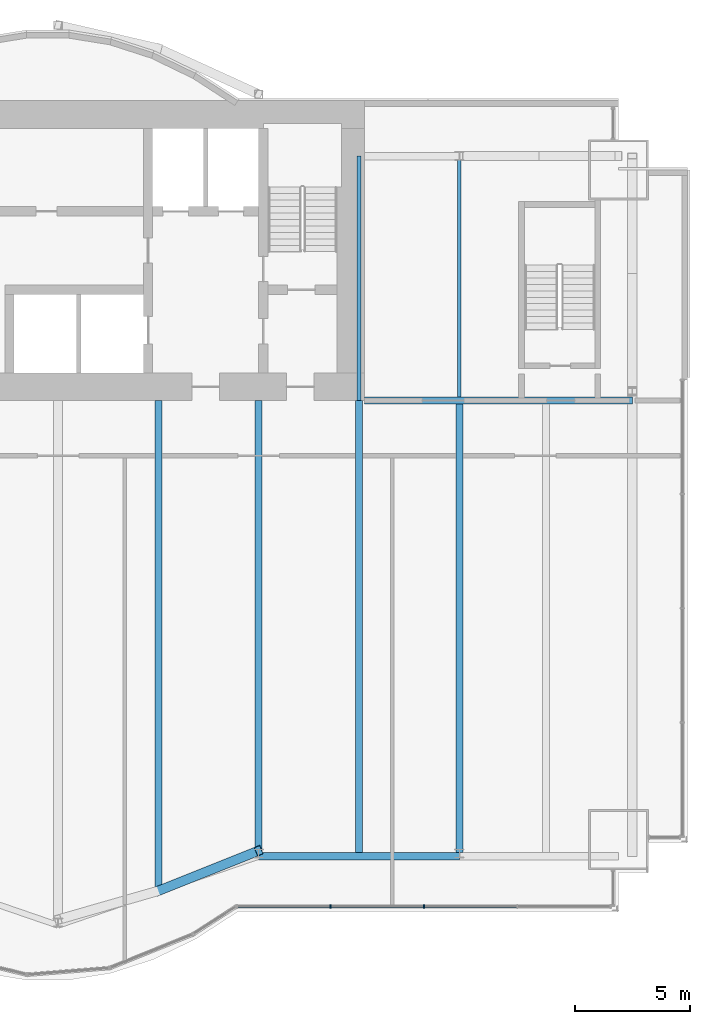
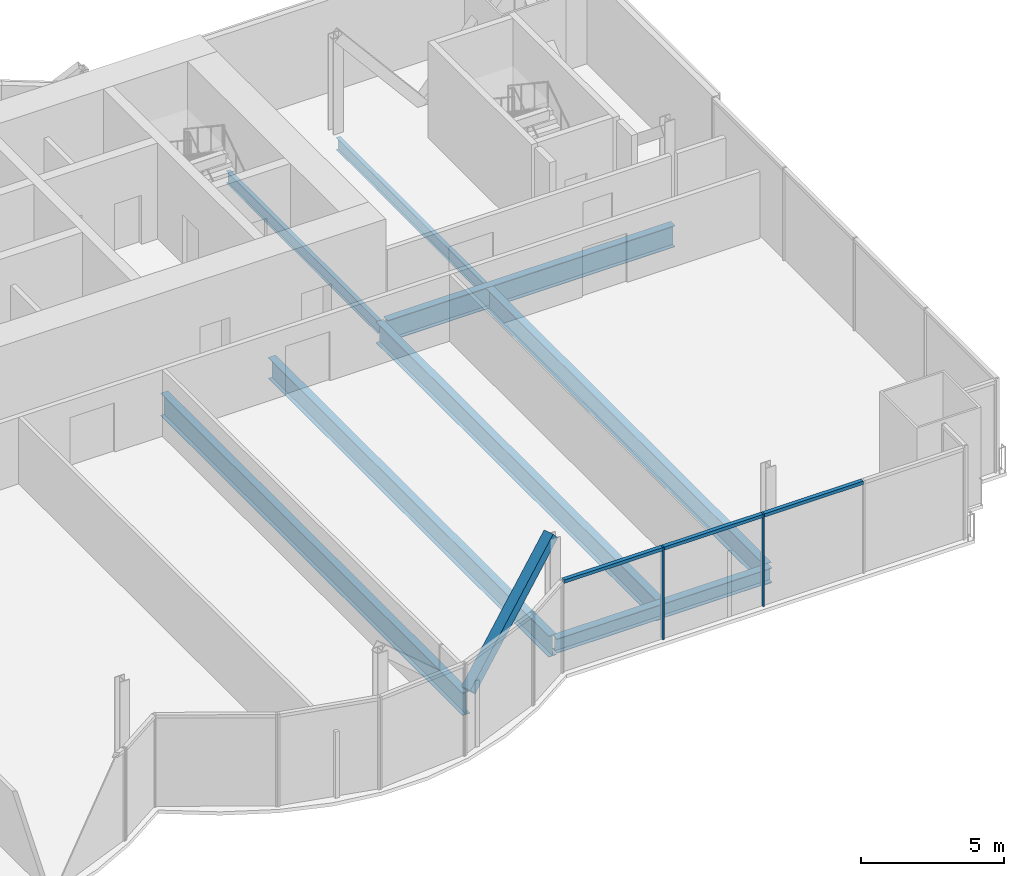
# One storey, part 9 of 21: 8 beams, 6 members, 1 element without a shape of its own.
"""IFC4 building model written with IfcOpenShell, lengths in metres."""

from ifc_helpers import new_model, si_unit, direction, frame, origin, origin_2d, place, context, subcontext, project, spatial, rectangle, hollow_rectangle, i_section, extrude, material, material_profile, profile_set, type_object, element, aggregate, save


model = new_model("IFC4")

# Units and contexts
model_context = context("Model", 3, precision=1e-05, world=origin(), true_north=direction((0.0, 1.0)))
body_context = subcontext(model_context, "Body", "Model", "MODEL_VIEW")
ifc_project = project(units=[si_unit("LENGTHUNIT", "METRE"), si_unit("AREAUNIT", "SQUARE_METRE"), si_unit("VOLUMEUNIT", "CUBIC_METRE"), si_unit("PLANEANGLEUNIT", "RADIAN"), si_unit("MASSUNIT", "GRAM", prefix="KILO")], contexts=[model_context])

# Site, building, storey
site_placement = place(None, origin())
site = spatial("IfcSite", under=ifc_project, at=site_placement, CompositionType="ELEMENT")
building_placement = place(site_placement, origin())
building = spatial("IfcBuilding", under=site, at=building_placement, Name="Bicima Exchange Tower", CompositionType="ELEMENT")
storey_placement = place(building_placement, frame((0.0, 0.0, 156.800048828125)))
storey = spatial("IfcBuildingStorey", under=building, at=storey_placement, Name="L34", CompositionType="ELEMENT", Elevation=156.800048828125)

# Beams
ifc_material_1 = material(Name="Steel ASTM A992 Gr 50", Category="steel")
ifc_material_profile_1 = material_profile(ifc_material_1, i_section(OverallWidth=0.3046875, OverallDepth=0.911865234375, WebThickness=0.015869140625, FlangeThickness=0.02392578125, at=origin_2d()))
ifc_profile_set_1 = profile_set([ifc_material_profile_1], Name="Steel ASTM A992 Gr 50")
beam_type_1 = type_object("IfcBeamType", Name="Core-line girder W36x150", PredefinedType="BEAM", material=ifc_profile_set_1)
beam_1_placement = place(storey_placement, frame((22.0, -13.0, -0.60595703125), z_axis=(1.0, 0.0, 0.0), x_axis=(0.0, 1.0, 0.0)))
element("IfcBeam", 1, at=beam_1_placement, inside=storey, type_object=beam_type_1, Name="Core-line girder", PredefinedType="BEAM", context=body_context, shape_type="SweptSolid", body=[
    extrude(i_section(OverallWidth=0.3046875, OverallDepth=0.911865234375, WebThickness=0.015869140625, FlangeThickness=0.02392578125, at=origin_2d()), origin(), (0.0, 0.0, 1.0), 11.60009765625),
])
ifc_material_profile_2 = material_profile(ifc_material_1, i_section(OverallWidth=0.165771484375, OverallDepth=0.5283203125, WebThickness=0.009765625, FlangeThickness=0.013671875, at=origin_2d()))
ifc_profile_set_2 = profile_set([ifc_material_profile_2], Name="Steel ASTM A992 Gr 50")
beam_type_2 = type_object("IfcBeamType", Name="Floor beam W21x50", PredefinedType="JOIST", material=ifc_profile_set_2)
beam_2_placement = place(storey_placement, frame((21.75, -2.39990234375, -0.414306640625), z_axis=(0.0, -1.0, 0.0), x_axis=(1.0, 0.0, 0.0)))
element("IfcBeam", 2, at=beam_2_placement, inside=storey, type_object=beam_type_2, Name="Floor beam", PredefinedType="JOIST", context=body_context, shape_type="SweptSolid", body=[
    extrude(i_section(OverallWidth=0.165771484375, OverallDepth=0.5283203125, WebThickness=0.009765625, FlangeThickness=0.013671875, at=origin_2d()), origin(), (0.0, 0.0, 1.0), 10.60009765625),
])
beam_3_placement = place(storey_placement, frame((26.10009765625, -2.5625, -0.414306640625), z_axis=(0.0, -1.0, 0.0), x_axis=(1.0, 0.0, 0.0)))
element("IfcBeam", 3, at=beam_3_placement, inside=storey, type_object=beam_type_2, Name="Floor beam", PredefinedType="JOIST", context=body_context, shape_type="SweptSolid", body=[
    extrude(i_section(OverallWidth=0.165771484375, OverallDepth=0.5283203125, WebThickness=0.009765625, FlangeThickness=0.013671875, at=origin_2d()), origin(), (0.0, 0.0, 1.0), 10.28515625),
])
ifc_material_profile_3 = material_profile(ifc_material_1, i_section(OverallWidth=0.3046875, OverallDepth=0.904296875, WebThickness=0.01513671875, FlangeThickness=0.02001953125, at=origin_2d()))
ifc_profile_set_3 = profile_set([ifc_material_profile_3], Name="Steel ASTM A992 Gr 50")
beam_type_3 = type_object("IfcBeamType", Name="Floor beam W36x135", PredefinedType="JOIST", material=ifc_profile_set_3)
beam_4_placement = place(storey_placement, frame((17.39990234375, -13.0, -0.60205078125), z_axis=(0.0, -1.0, 0.0), x_axis=(1.0, 0.0, 0.0)))
element("IfcBeam", 4, at=beam_4_placement, inside=storey, type_object=beam_type_3, Name="Floor beam", PredefinedType="JOIST", context=body_context, shape_type="SweptSolid", body=[
    extrude(i_section(OverallWidth=0.3046875, OverallDepth=0.904296875, WebThickness=0.01513671875, FlangeThickness=0.02001953125, at=origin_2d()), origin(), (0.0, 0.0, 1.0), 19.63232421875),
])
beam_5_placement = place(storey_placement, frame((21.75, -13.0, -0.60205078125), z_axis=(0.0, -1.0, 0.0), x_axis=(1.0, 0.0, 0.0)))
element("IfcBeam", 5, at=beam_5_placement, inside=storey, type_object=beam_type_3, Name="Floor beam", PredefinedType="JOIST", context=body_context, shape_type="SweptSolid", body=[
    extrude(i_section(OverallWidth=0.3046875, OverallDepth=0.904296875, WebThickness=0.01513671875, FlangeThickness=0.02001953125, at=origin_2d()), origin(), (0.0, 0.0, 1.0), 19.60546875),
])
beam_6_placement = place(storey_placement, frame((26.10009765625, -13.15234375, -0.60205078125), z_axis=(0.0, -1.0, 0.0), x_axis=(1.0, 0.0, 0.0)))
element("IfcBeam", 6, at=beam_6_placement, inside=storey, type_object=beam_type_3, Name="Floor beam", PredefinedType="JOIST", context=body_context, shape_type="SweptSolid", body=[
    extrude(i_section(OverallWidth=0.3046875, OverallDepth=0.904296875, WebThickness=0.01513671875, FlangeThickness=0.02001953125, at=origin_2d()), origin(), (0.0, 0.0, 1.0), 19.453125),
])
ifc_material_profile_4 = material_profile(ifc_material_1, i_section(OverallWidth=0.2998046875, OverallDepth=0.97021484375, WebThickness=0.01611328125, FlangeThickness=0.02099609375, at=origin_2d()))
ifc_profile_set_4 = profile_set([ifc_material_profile_4], Name="Steel ASTM A992 Gr 50")
beam_type_4 = type_object("IfcBeamType", Name="Floor beam W40x149", PredefinedType="JOIST", material=ifc_profile_set_4)
beam_7_placement = place(storey_placement, frame((13.050048828125, -13.0, -0.63525390625), z_axis=(0.0, -1.0, 0.0), x_axis=(1.0, 0.0, 0.0)))
element("IfcBeam", 7, at=beam_7_placement, inside=storey, type_object=beam_type_4, Name="Floor beam", PredefinedType="JOIST", context=body_context, shape_type="SweptSolid", body=[
    extrude(i_section(OverallWidth=0.2998046875, OverallDepth=0.97021484375, WebThickness=0.01611328125, FlangeThickness=0.02099609375, at=origin_2d()), origin(), (0.0, 0.0, 1.0), 21.1279296875),
])
ifc_material_profile_5 = material_profile(ifc_material_1, i_section(OverallWidth=0.3251953125, OverallDepth=0.612060546875, WebThickness=0.0126953125, FlangeThickness=0.01904296875, at=origin_2d()))
ifc_profile_set_5 = profile_set([ifc_material_profile_5], Name="Steel ASTM A992 Gr 50")
beam_type_5 = type_object("IfcBeamType", Name="Front girder W24x104", PredefinedType="BEAM", material=ifc_profile_set_5)
beam_8_placement = place(storey_placement, frame((17.39990234375, -32.76806640625, -0.4560546875), z_axis=(1.0, 0.0, 0.0), x_axis=(0.0, 1.0, 0.0)))
element("IfcBeam", 8, at=beam_8_placement, inside=storey, type_object=beam_type_5, Name="Front girder", PredefinedType="BEAM", context=body_context, shape_type="SweptSolid", body=[
    extrude(i_section(OverallWidth=0.3251953125, OverallDepth=0.612060546875, WebThickness=0.0126953125, FlangeThickness=0.01904296875, at=origin_2d()), origin(), (0.0, 0.0, 1.0), 8.7001953125),
])

# Curtain wall, members
ifc_material_2 = material(Name="Anodised bronze aluminium", Category="aluminium")
curtain_wall_type = type_object("IfcCurtainWallType", Name="Front glass wall", PredefinedType="NOTDEFINED", material=ifc_material_2)
curtain_wall_placement = place(storey_placement, origin())
curtain_wall = element("IfcCurtainWall", 9, at=curtain_wall_placement, inside=storey, type_object=curtain_wall_type, Name="Front glass wall L34 run 16", PredefinedType="NOTDEFINED")
ifc_material_profile_6 = material_profile(ifc_material_2, rectangle(XDim=0.159912109375, YDim=0.06005859375, at=origin_2d()))
ifc_profile_set_6 = profile_set([ifc_material_profile_6], Name="Anodised bronze aluminium")
member_type_1 = type_object("IfcMemberType", Name="Front glass wall mullion 60 x 160", PredefinedType="MULLION", material=ifc_profile_set_6)
member_1_placement = place(storey_placement, frame((20.51171875, -34.93798828125, 0.0), z_axis=(0.0, 0.0, 1.0), x_axis=(0.0, 1.0, 0.0)))
member_1 = element("IfcMember", 10, at=member_1_placement, type_object=member_type_1, Name="Front glass wall mullion 2", PredefinedType="MULLION", context=body_context, shape_type="SweptSolid", body=[
    extrude(rectangle(XDim=0.159912109375, YDim=0.06005859375, at=origin_2d()), origin(), (0.0, 0.0, 1.0), 3.949951171875),
])
member_2_placement = place(storey_placement, frame((24.56103515625, -34.93798828125, 0.0), z_axis=(0.0, 0.0, 1.0), x_axis=(0.0, 1.0, 0.0)))
member_2 = element("IfcMember", 11, at=member_2_placement, type_object=member_type_1, Name="Front glass wall mullion 3", PredefinedType="MULLION", context=body_context, shape_type="SweptSolid", body=[
    extrude(rectangle(XDim=0.159912109375, YDim=0.06005859375, at=origin_2d()), origin(), (0.0, 0.0, 1.0), 3.949951171875),
])
ifc_material_profile_7 = material_profile(ifc_material_2, rectangle(XDim=0.159912109375, YDim=0.139892578125, at=origin_2d()))
ifc_profile_set_7 = profile_set([ifc_material_profile_7], Name="Anodised bronze aluminium")
member_type_2 = type_object("IfcMemberType", Name="Front glass wall transom 140 x 160", PredefinedType="USERDEFINED", material=ifc_profile_set_7)
member_3_placement = place(storey_placement, frame((16.4921875, -34.93798828125, 3.8798828125), z_axis=(1.0, 0.0, 0.0), x_axis=(0.0, 1.0, 0.0)))
member_3 = element("IfcMember", 12, at=member_3_placement, type_object=member_type_2, Name="Front glass wall transom 1.1", ObjectType="TRANSOM", PredefinedType="USERDEFINED", context=body_context, shape_type="SweptSolid", body=[
    extrude(rectangle(XDim=0.159912109375, YDim=0.139892578125, at=origin_2d()), origin(), (0.0, 0.0, 1.0), 3.989501953125),
])
member_4_placement = place(storey_placement, frame((20.54150390625, -34.93798828125, 3.8798828125), z_axis=(1.0, 0.0, 0.0), x_axis=(0.0, 1.0, 0.0)))
member_4 = element("IfcMember", 13, at=member_4_placement, type_object=member_type_2, Name="Front glass wall transom 2.1", ObjectType="TRANSOM", PredefinedType="USERDEFINED", context=body_context, shape_type="SweptSolid", body=[
    extrude(rectangle(XDim=0.159912109375, YDim=0.139892578125, at=origin_2d()), origin(), (0.0, 0.0, 1.0), 3.989501953125),
])
member_5_placement = place(storey_placement, frame((24.591064453125, -34.93798828125, 3.8798828125), z_axis=(1.0, 0.0, 0.0), x_axis=(0.0, 1.0, 0.0)))
member_5 = element("IfcMember", 14, at=member_5_placement, type_object=member_type_2, Name="Front glass wall transom 3.1", ObjectType="TRANSOM", PredefinedType="USERDEFINED", context=body_context, shape_type="SweptSolid", body=[
    extrude(rectangle(XDim=0.159912109375, YDim=0.139892578125, at=origin_2d()), origin(), (0.0, 0.0, 1.0), 3.989501953125),
])
aggregate(curtain_wall, [member_1, member_2, member_3, member_4, member_5])

# Member
ifc_material_3 = material(Name="Steel ASTM A572 Gr 50", Category="steel")
ifc_material_profile_8 = material_profile(ifc_material_3, hollow_rectangle(XDim=0.406494140625, YDim=0.406494140625, WallThickness=0.017822265625, at=origin_2d()))
ifc_profile_set_8 = profile_set([ifc_material_profile_8], Name="Steel ASTM A572 Gr 50")
member_type_3 = type_object("IfcMemberType", Name="Mega brace HSS16x16x3/4", PredefinedType="BRACE", material=ifc_profile_set_8)
member_6_placement = place(storey_placement, frame((13.050048828125, -34.263427734375, 0.0), z_axis=(0.69872416977, 0.279419077825, 0.658566255988), x_axis=(-0.371309808925, 0.928509033772, 0.0)))
element("IfcMember", 15, at=member_6_placement, inside=storey, type_object=member_type_3, Name="Mega brace front", PredefinedType="BRACE", context=body_context, shape_type="SweptSolid", body=[
    extrude(hollow_rectangle(XDim=0.406494140625, YDim=0.406494140625, WallThickness=0.017822265625, at=origin_2d()), origin(), (0.0, 0.0, 1.0), 6.225341796875),
])

save(model, "model.ifc")
